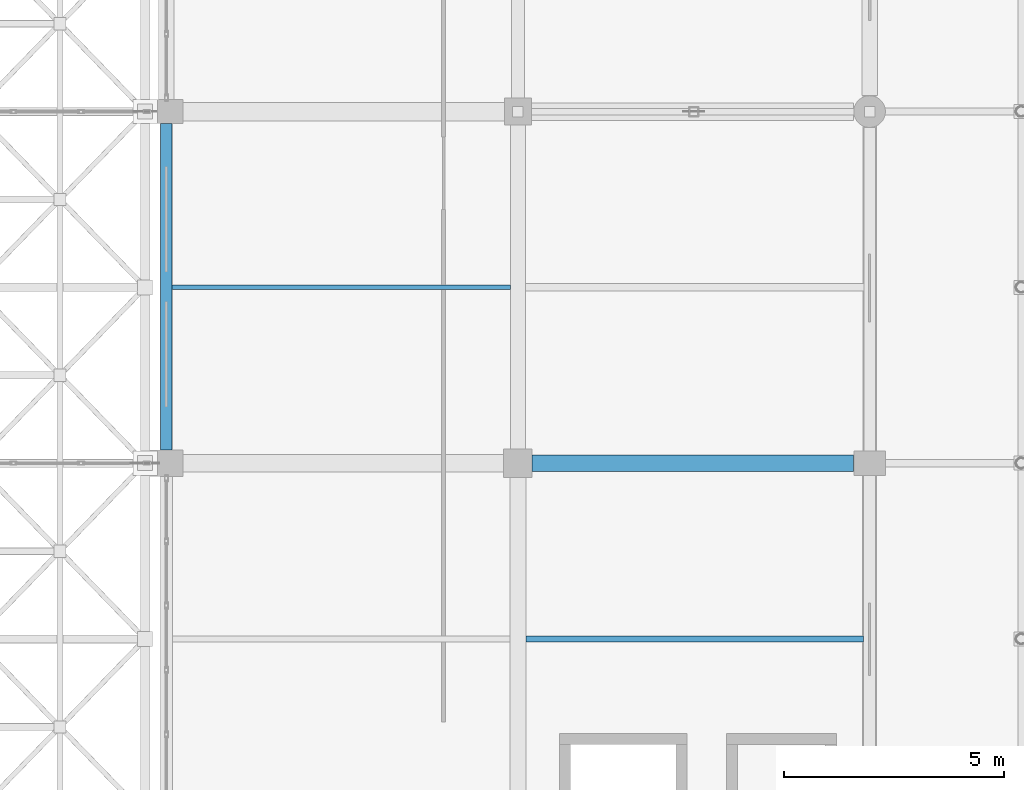
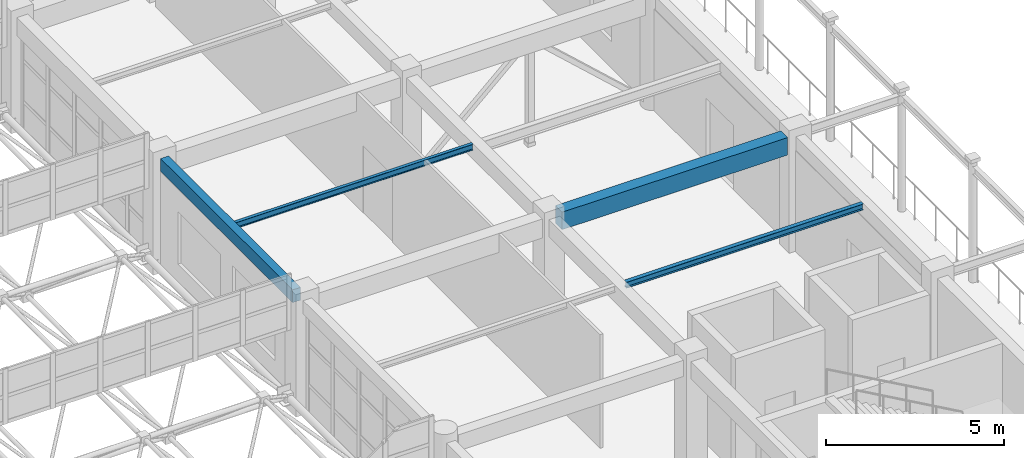
# One storey, part 68 of 195: 4 beams.
"""IFC4 building model written with IfcOpenShell, lengths in metres."""

from ifc_helpers import new_model, si_unit, direction, frame, origin, origin_2d, place, context, subcontext, project, spatial, rectangle, i_section, extrude, material, material_profile, profile_set, type_object, element, save


model = new_model("IFC4")

# Units and contexts
model_context = context("Model", 3, precision=1e-05, world=origin(), true_north=direction((0.0, 1.0)))
body_context = subcontext(model_context, "Body", "Model", "MODEL_VIEW")
ifc_project = project(units=[si_unit("LENGTHUNIT", "METRE"), si_unit("AREAUNIT", "SQUARE_METRE"), si_unit("VOLUMEUNIT", "CUBIC_METRE"), si_unit("PLANEANGLEUNIT", "RADIAN"), si_unit("MASSUNIT", "GRAM", prefix="KILO")], contexts=[model_context])

# Site, building, storey
site_placement = place(None, origin())
site = spatial("IfcSite", under=ifc_project, at=site_placement, CompositionType="ELEMENT")
building_placement = place(site_placement, origin())
building = spatial("IfcBuilding", under=site, at=building_placement, Name="Kharva Crest Polytechnic", CompositionType="ELEMENT")
storey_placement = place(building_placement, frame((0.0, 0.0, 9.0)))
storey = spatial("IfcBuildingStorey", under=building, at=storey_placement, Name="L02", CompositionType="ELEMENT", Elevation=9.0)

# Beams
ifc_material_1 = material(Name="Concrete C35/45", Category="concrete")
ifc_material_profile_1 = material_profile(ifc_material_1, rectangle(XDim=0.3798828125, YDim=0.60009765625, at=origin_2d()), Name="RECT 380 X 600")
ifc_profile_set_1 = profile_set([ifc_material_profile_1], Name="Concrete C35/45")
beam_type_1 = type_object("IfcBeamType", Name="BM-RC-380X600", PredefinedType="BEAM", material=ifc_profile_set_1)
beam_1_placement = place(storey_placement, frame((40.324951171875, 54.800048828125, 3.6201171875), z_axis=(1.0, 0.0, 0.0), x_axis=(0.0, 1.0, 0.0)))
element("IfcBeam", 1, at=beam_1_placement, inside=storey, type_object=beam_type_1, Name="L02 Beam H/6-7", PredefinedType="BEAM", context=body_context, shape_type="SweptSolid", body=[
    extrude(rectangle(XDim=0.3798828125, YDim=0.60009765625, at=origin_2d()), origin(), (0.0, 0.0, 1.0), 7.31494140625),
])
ifc_material_2 = material(Name="Steel S355", Category="steel")
ifc_material_profile_2 = material_profile(ifc_material_2, i_section(OverallWidth=0.10205078125, OverallDepth=0.2060546875, WebThickness=0.006103515625, FlangeThickness=0.008056640625, at=origin_2d()), Name="W200X22.5")
ifc_profile_set_2 = profile_set([ifc_material_profile_2], Name="Steel S355")
beam_type_2 = type_object("IfcBeamType", Name="BM-STL-W200X22", PredefinedType="JOIST", material=ifc_profile_set_2)
beam_2_placement = place(storey_placement, frame((32.1298828125, 58.800048828125, 3.81689453125), z_axis=(1.0, 0.0, 0.0), x_axis=(0.0, 1.0, 0.0)))
element("IfcBeam", 2, at=beam_2_placement, inside=storey, type_object=beam_type_2, Name="L02 Floor Joist 3", PredefinedType="JOIST", context=body_context, shape_type="SweptSolid", body=[
    extrude(i_section(OverallWidth=0.10205078125, OverallDepth=0.2060546875, WebThickness=0.006103515625, FlangeThickness=0.008056640625, at=origin_2d()), origin(), (0.0, 0.0, 1.0), 7.7001953125),
])
ifc_material_profile_3 = material_profile(ifc_material_2, i_section(OverallWidth=0.133056640625, OverallDepth=0.20703125, WebThickness=0.005859375, FlangeThickness=0.00830078125, at=origin_2d()), Name="W200X26.6")
ifc_profile_set_3 = profile_set([ifc_material_profile_3], Name="Steel S355")
beam_type_3 = type_object("IfcBeamType", Name="BM-STL-W200X26", PredefinedType="JOIST", material=ifc_profile_set_3)
beam_3_placement = place(storey_placement, frame((40.179931640625, 50.800048828125, 3.81640625), z_axis=(1.0, 0.0, 0.0), x_axis=(0.0, 1.0, 0.0)))
element("IfcBeam", 3, at=beam_3_placement, inside=storey, type_object=beam_type_3, Name="L02 Floor Joist 2", PredefinedType="JOIST", context=body_context, shape_type="SweptSolid", body=[
    extrude(i_section(OverallWidth=0.133056640625, OverallDepth=0.20703125, WebThickness=0.005859375, FlangeThickness=0.00830078125, at=origin_2d()), origin(), (0.0, 0.0, 1.0), 7.68017578125),
])
ifc_material_profile_4 = material_profile(ifc_material_1, rectangle(XDim=0.260009765625, YDim=0.43994140625, at=origin_2d()), Name="RECT 260 X 440")
ifc_profile_set_4 = profile_set([ifc_material_profile_4], Name="Concrete C35/45")
beam_type_4 = type_object("IfcBeamType", Name="SP-RC-260X440", PredefinedType="SPANDREL", material=ifc_profile_set_4)
beam_4_placement = place(storey_placement, frame((32.0, 55.10009765625, 3.699951171875), z_axis=(0.0, 1.0, 0.0), x_axis=(-1.0, 0.0, 0.0)))
element("IfcBeam", 4, at=beam_4_placement, inside=storey, type_object=beam_type_4, Name="L02 Girder 5/H-J", PredefinedType="SPANDREL", context=body_context, shape_type="SweptSolid", body=[
    extrude(rectangle(XDim=0.260009765625, YDim=0.43994140625, at=origin_2d()), origin(), (0.0, 0.0, 1.0), 7.4248046875),
])

save(model, "model.ifc")
